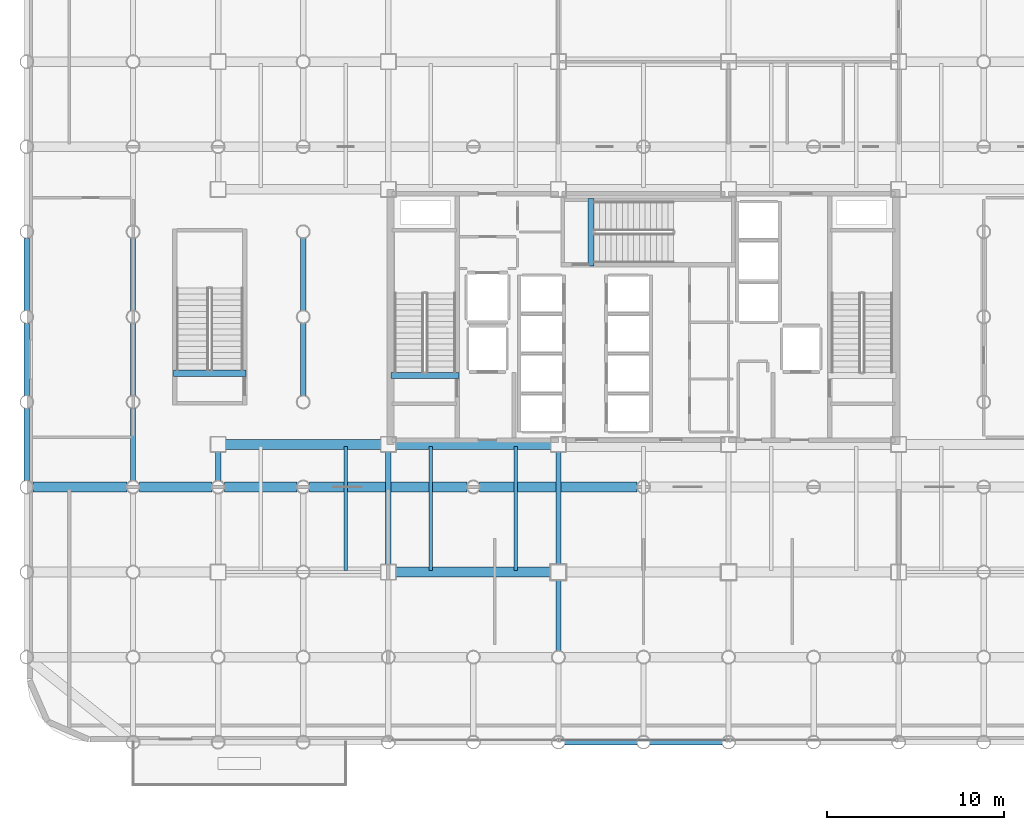
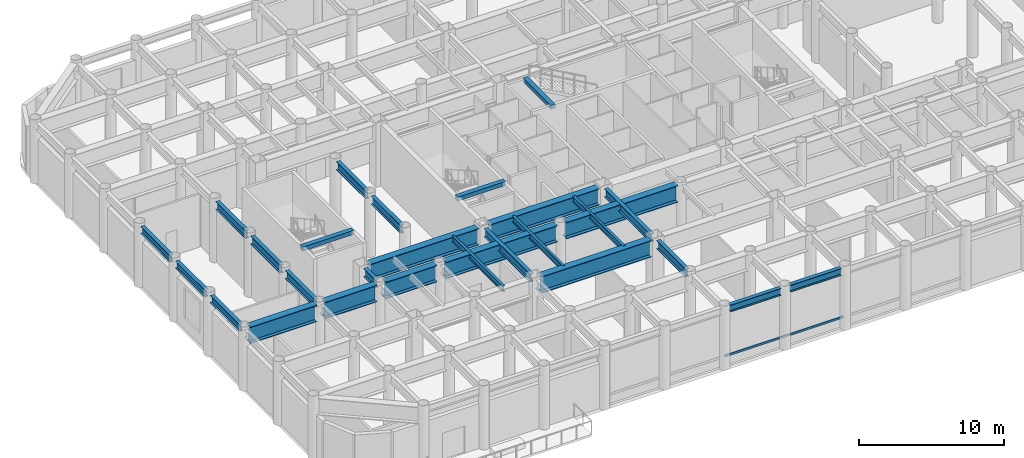
# One storey, part 3 of 17: 28 beams, 1 member, 1 element without a shape of its own.
"""IFC4 building model written with IfcOpenShell, lengths in metres."""

from ifc_helpers import new_model, si_unit, direction, frame, origin, origin_2d, place, context, subcontext, project, spatial, rectangle, hollow_rectangle, i_section, extrude, material, layer, layer_set, material_profile, profile_set, type_object, element, aggregate, save


model = new_model("IFC4")

# Units and contexts
model_context = context("Model", 3, precision=1e-05, world=origin(), true_north=direction((0.0, 1.0)))
body_context = subcontext(model_context, "Body", "Model", "MODEL_VIEW")
ifc_project = project(units=[si_unit("LENGTHUNIT", "METRE"), si_unit("AREAUNIT", "SQUARE_METRE"), si_unit("VOLUMEUNIT", "CUBIC_METRE"), si_unit("PLANEANGLEUNIT", "RADIAN"), si_unit("MASSUNIT", "GRAM", prefix="KILO")], contexts=[model_context])

# Site, building, storey
site_placement = place(None, origin())
site = spatial("IfcSite", under=ifc_project, at=site_placement, CompositionType="ELEMENT")
building_placement = place(site_placement, origin())
building = spatial("IfcBuilding", under=site, at=building_placement, Name="Kallvorn Hotel Tower", CompositionType="ELEMENT")
storey_placement = place(building_placement, frame((0.0, 0.0, 19.199951171875)))
storey = spatial("IfcBuildingStorey", under=building, at=storey_placement, Name="L03", CompositionType="ELEMENT", Elevation=19.199951171875)

# Beams
ifc_material_1 = material(Name="Structural steel S355JR", Category="steel")
ifc_material_profile_1 = material_profile(ifc_material_1, i_section(OverallWidth=0.300048828125, OverallDepth=0.60009765625, WebThickness=0.015380859375, FlangeThickness=0.030029296875, at=origin_2d()), Name="HE 600 B")
ifc_profile_set_1 = profile_set([ifc_material_profile_1], Name="Structural steel S355JR")
beam_type_1 = type_object("IfcBeamType", Name="BM_HE600B", PredefinedType="SPANDREL", material=ifc_profile_set_1)
for number, where, z_axis, x_axis, name in (
    (1, (-4.428955078125, -24.0, 4.880126953125), (1.0, 0.0, 0.0), (0.0, 1.0, 0.0), "L04 Perimeter Spandrel 177"),
    (2, (0.37109375, -24.0, 4.880126953125), (1.0, 0.0, 0.0), (0.0, 1.0, 0.0), "L04 Perimeter Spandrel 178"),
):
    element("IfcBeam", number, at=place(storey_placement, frame(where, z_axis=z_axis, x_axis=x_axis)), inside=storey, type_object=beam_type_1, Name=name, PredefinedType="SPANDREL", context=body_context, shape_type="SweptSolid", body=[
        extrude(i_section(OverallWidth=0.300048828125, OverallDepth=0.60009765625, WebThickness=0.015380859375, FlangeThickness=0.030029296875, at=origin_2d()), origin(), (0.0, 0.0, 1.0), 4.057861328125),
    ])
beam_1_placement = place(storey_placement, frame((-34.800048828125, -9.22900390625, 4.880126953125), z_axis=(0.0, 1.0, 0.0), x_axis=(-1.0, 0.0, 0.0)))
element("IfcBeam", 3, at=beam_1_placement, inside=storey, type_object=beam_type_1, Name="L04 Perimeter Spandrel 198", PredefinedType="SPANDREL", context=body_context, shape_type="SweptSolid", body=[
    extrude(i_section(OverallWidth=0.300048828125, OverallDepth=0.60009765625, WebThickness=0.015380859375, FlangeThickness=0.030029296875, at=origin_2d()), origin(), (0.0, 0.0, 1.0), 4.05810546875),
])
for number, where, z_axis, x_axis, name in (
    (4, (-34.800048828125, -4.428955078125, 4.880126953125), (0.0, 1.0, 0.0), (-1.0, 0.0, 0.0), "L04 Perimeter Spandrel 199"),
    (5, (-34.800048828125, 0.37109375, 4.880126953125), (0.0, 1.0, 0.0), (-1.0, 0.0, 0.0), "L04 Perimeter Spandrel 200"),
):
    element("IfcBeam", number, at=place(storey_placement, frame(where, z_axis=z_axis, x_axis=x_axis)), inside=storey, type_object=beam_type_1, Name=name, PredefinedType="SPANDREL", context=body_context, shape_type="SweptSolid", body=[
        extrude(i_section(OverallWidth=0.300048828125, OverallDepth=0.60009765625, WebThickness=0.015380859375, FlangeThickness=0.030029296875, at=origin_2d()), origin(), (0.0, 0.0, 1.0), 4.057861328125),
    ])
ifc_material_2 = material(Name="Structural steel S355JR", Category="steel")
ifc_material_profile_2 = material_profile(ifc_material_2, i_section(OverallWidth=0.300048828125, OverallDepth=0.699951171875, WebThickness=0.01708984375, FlangeThickness=0.031982421875, at=origin_2d()), Name="HE 700 B")
ifc_profile_set_2 = profile_set([ifc_material_profile_2], Name="Structural steel S355JR")
beam_type_2 = type_object("IfcBeamType", Name="BM_HE700B", PredefinedType="BEAM", material=ifc_profile_set_2)
beam_2_placement = place(storey_placement, frame((-28.800048828125, -9.243896484375, 4.830078125), z_axis=(0.0, 1.0, 0.0), x_axis=(-1.0, 0.0, 0.0)))
element("IfcBeam", 6, at=beam_2_placement, inside=storey, type_object=beam_type_2, Name="L04 Primary Y-Girder 83", PredefinedType="BEAM", context=body_context, shape_type="SweptSolid", body=[
    extrude(i_section(OverallWidth=0.300048828125, OverallDepth=0.699951171875, WebThickness=0.01708984375, FlangeThickness=0.031982421875, at=origin_2d()), origin(), (0.0, 0.0, 1.0), 4.087890625),
])
for number, where, z_axis, x_axis, name in (
    (7, (-28.800048828125, -4.444091796875, 4.830078125), (0.0, 1.0, 0.0), (-1.0, 0.0, 0.0), "L04 Primary Y-Girder 84"),
    (8, (-28.800048828125, 0.35595703125, 4.830078125), (0.0, 1.0, 0.0), (-1.0, 0.0, 0.0), "L04 Primary Y-Girder 85"),
):
    element("IfcBeam", number, at=place(storey_placement, frame(where, z_axis=z_axis, x_axis=x_axis)), inside=storey, type_object=beam_type_2, Name=name, PredefinedType="BEAM", context=body_context, shape_type="SweptSolid", body=[
        extrude(i_section(OverallWidth=0.300048828125, OverallDepth=0.699951171875, WebThickness=0.01708984375, FlangeThickness=0.031982421875, at=origin_2d()), origin(), (0.0, 0.0, 1.0), 4.088134765625),
    ])
beam_3_placement = place(storey_placement, frame((-24.0, -9.243896484375, 4.830078125), z_axis=(0.0, 1.0, 0.0), x_axis=(-1.0, 0.0, 0.0)))
element("IfcBeam", 9, at=beam_3_placement, inside=storey, type_object=beam_type_2, Name="L04 Primary Y-Girder 93", PredefinedType="BEAM", context=body_context, shape_type="SweptSolid", body=[
    extrude(i_section(OverallWidth=0.300048828125, OverallDepth=0.699951171875, WebThickness=0.01708984375, FlangeThickness=0.031982421875, at=origin_2d()), origin(), (0.0, 0.0, 1.0), 1.618896484375),
])
for number, where, z_axis, x_axis, name in (
    (10, (-19.199951171875, -4.444091796875, 4.830078125), (0.0, 1.0, 0.0), (-1.0, 0.0, 0.0), "L04 Primary Y-Girder 102"),
    (11, (-19.199951171875, 0.35595703125, 4.830078125), (0.0, 1.0, 0.0), (-1.0, 0.0, 0.0), "L04 Primary Y-Girder 103"),
):
    element("IfcBeam", number, at=place(storey_placement, frame(where, z_axis=z_axis, x_axis=x_axis)), inside=storey, type_object=beam_type_2, Name=name, PredefinedType="BEAM", context=body_context, shape_type="SweptSolid", body=[
        extrude(i_section(OverallWidth=0.300048828125, OverallDepth=0.699951171875, WebThickness=0.01708984375, FlangeThickness=0.031982421875, at=origin_2d()), origin(), (0.0, 0.0, 1.0), 4.088134765625),
    ])
beam_4_placement = place(storey_placement, frame((-14.39990234375, -13.97509765625, 4.830078125), z_axis=(0.0, 1.0, 0.0), x_axis=(-1.0, 0.0, 0.0)))
element("IfcBeam", 12, at=beam_4_placement, inside=storey, type_object=beam_type_2, Name="L04 Primary Y-Girder 110", PredefinedType="BEAM", context=body_context, shape_type="SweptSolid", body=[
    extrude(i_section(OverallWidth=0.300048828125, OverallDepth=0.699951171875, WebThickness=0.01708984375, FlangeThickness=0.031982421875, at=origin_2d()), origin(), (0.0, 0.0, 1.0), 6.35009765625),
])
beam_5_placement = place(storey_placement, frame((-4.800048828125, -18.843994140625, 4.830078125), z_axis=(0.0, 1.0, 0.0), x_axis=(-1.0, 0.0, 0.0)))
element("IfcBeam", 13, at=beam_5_placement, inside=storey, type_object=beam_type_2, Name="L04 Primary Y-Girder 119", PredefinedType="BEAM", context=body_context, shape_type="SweptSolid", body=[
    extrude(i_section(OverallWidth=0.300048828125, OverallDepth=0.699951171875, WebThickness=0.01708984375, FlangeThickness=0.031982421875, at=origin_2d()), origin(), (0.0, 0.0, 1.0), 4.01904296875),
])
beam_6_placement = place(storey_placement, frame((-4.800048828125, -13.97509765625, 4.830078125), z_axis=(0.0, 1.0, 0.0), x_axis=(-1.0, 0.0, 0.0)))
element("IfcBeam", 14, at=beam_6_placement, inside=storey, type_object=beam_type_2, Name="L04 Primary Y-Girder 120", PredefinedType="BEAM", context=body_context, shape_type="SweptSolid", body=[
    extrude(i_section(OverallWidth=0.300048828125, OverallDepth=0.699951171875, WebThickness=0.01708984375, FlangeThickness=0.031982421875, at=origin_2d()), origin(), (0.0, 0.0, 1.0), 6.35009765625),
])
ifc_material_3 = material(Name="Structural steel S355JR", Category="steel")
ifc_material_profile_3 = material_profile(ifc_material_3, i_section(OverallWidth=0.199951171875, OverallDepth=0.5, WebThickness=0.01025390625, FlangeThickness=0.01611328125, at=origin_2d()), Name="IPE 500")
ifc_profile_set_3 = profile_set([ifc_material_profile_3], Name="Structural steel S355JR")
beam_type_3 = type_object("IfcBeamType", Name="BM_IPE500", PredefinedType="JOIST", material=ifc_profile_set_3)
for number, where, z_axis, x_axis, name in (
    (15, (-16.800048828125, -14.300048828125, 4.929931640625), (0.0, 1.0, 0.0), (-1.0, 0.0, 0.0), "L04 Secondary Composite Joist 218"),
    (16, (-12.0, -14.300048828125, 4.929931640625), (0.0, 1.0, 0.0), (-1.0, 0.0, 0.0), "L04 Secondary Composite Joist 220"),
    (17, (-7.199951171875, -14.300048828125, 4.929931640625), (0.0, 1.0, 0.0), (-1.0, 0.0, 0.0), "L04 Secondary Composite Joist 222"),
):
    element("IfcBeam", number, at=place(storey_placement, frame(where, z_axis=z_axis, x_axis=x_axis)), inside=storey, type_object=beam_type_3, Name=name, PredefinedType="JOIST", context=body_context, shape_type="SweptSolid", body=[
        extrude(i_section(OverallWidth=0.199951171875, OverallDepth=0.5, WebThickness=0.01025390625, FlangeThickness=0.01611328125, at=origin_2d()), origin(), (0.0, 0.0, 1.0), 7.0),
    ])
ifc_material_4 = material(Name="Structural steel S355JR", Category="steel")
ifc_material_profile_4 = material_profile(ifc_material_4, i_section(OverallWidth=0.550048828125, OverallDepth=1.39990234375, WebThickness=0.02490234375, FlangeThickness=0.044921875, at=origin_2d()), Name="PG 1400x550x25x45")
ifc_profile_set_4 = profile_set([ifc_material_profile_4], Name="Structural steel S355JR")
beam_type_4 = type_object("IfcBeamType", Name="BM_PG_1400", PredefinedType="BEAM", material=ifc_profile_set_4)
beam_7_placement = place(storey_placement, frame((-13.97509765625, -14.39990234375, 4.47998046875), z_axis=(1.0, 0.0, 0.0), x_axis=(0.0, 1.0, 0.0)))
element("IfcBeam", 18, at=beam_7_placement, inside=storey, type_object=beam_type_4, Name="L04 Primary X-Girder 19", PredefinedType="BEAM", context=body_context, shape_type="SweptSolid", body=[
    extrude(i_section(OverallWidth=0.550048828125, OverallDepth=1.39990234375, WebThickness=0.02490234375, FlangeThickness=0.044921875, at=origin_2d()), origin(), (0.0, 0.0, 1.0), 8.75),
])
beam_8_placement = place(storey_placement, frame((-34.444091796875, -9.60009765625, 4.47998046875), z_axis=(1.0, 0.0, 0.0), x_axis=(0.0, 1.0, 0.0)))
element("IfcBeam", 19, at=beam_8_placement, inside=storey, type_object=beam_type_4, Name="L04 Primary X-Girder 26", PredefinedType="BEAM", context=body_context, shape_type="SweptSolid", body=[
    extrude(i_section(OverallWidth=0.550048828125, OverallDepth=1.39990234375, WebThickness=0.02490234375, FlangeThickness=0.044921875, at=origin_2d()), origin(), (0.0, 0.0, 1.0), 5.2880859375),
])
for number, where, z_axis, x_axis, name in (
    (20, (-28.444091796875, -9.60009765625, 4.47998046875), (1.0, 0.0, 0.0), (0.0, 1.0, 0.0), "L04 Primary X-Girder 27"),
    (21, (-23.64404296875, -9.60009765625, 4.47998046875), (1.0, 0.0, 0.0), (0.0, 1.0, 0.0), "L04 Primary X-Girder 28"),
):
    element("IfcBeam", number, at=place(storey_placement, frame(where, z_axis=z_axis, x_axis=x_axis)), inside=storey, type_object=beam_type_4, Name=name, PredefinedType="BEAM", context=body_context, shape_type="SweptSolid", body=[
        extrude(i_section(OverallWidth=0.550048828125, OverallDepth=1.39990234375, WebThickness=0.02490234375, FlangeThickness=0.044921875, at=origin_2d()), origin(), (0.0, 0.0, 1.0), 4.088134765625),
    ])
for number, where, z_axis, x_axis, name in (
    (22, (-18.843994140625, -9.60009765625, 4.47998046875), (1.0, 0.0, 0.0), (0.0, 1.0, 0.0), "L04 Primary X-Girder 29"),
    (23, (-9.243896484375, -9.60009765625, 4.47998046875), (1.0, 0.0, 0.0), (0.0, 1.0, 0.0), "L04 Primary X-Girder 30"),
):
    element("IfcBeam", number, at=place(storey_placement, frame(where, z_axis=z_axis, x_axis=x_axis)), inside=storey, type_object=beam_type_4, Name=name, PredefinedType="BEAM", context=body_context, shape_type="SweptSolid", body=[
        extrude(i_section(OverallWidth=0.550048828125, OverallDepth=1.39990234375, WebThickness=0.02490234375, FlangeThickness=0.044921875, at=origin_2d()), origin(), (0.0, 0.0, 1.0), 8.887939453125),
    ])
for number, where, z_axis, x_axis, name in (
    (24, (-23.574951171875, -7.199951171875, 4.47998046875), (1.0, 0.0, 0.0), (0.0, 1.0, 0.0), "L04 Primary X-Girder 36"),
    (25, (-13.97509765625, -7.199951171875, 4.47998046875), (1.0, 0.0, 0.0), (0.0, 1.0, 0.0), "L04 Primary X-Girder 37"),
):
    element("IfcBeam", number, at=place(storey_placement, frame(where, z_axis=z_axis, x_axis=x_axis)), inside=storey, type_object=beam_type_4, Name=name, PredefinedType="BEAM", context=body_context, shape_type="SweptSolid", body=[
        extrude(i_section(OverallWidth=0.550048828125, OverallDepth=1.39990234375, WebThickness=0.02490234375, FlangeThickness=0.044921875, at=origin_2d()), origin(), (0.0, 0.0, 1.0), 8.75),
    ])
ifc_material_5 = material(Name="Concrete C50/60", Category="concrete")
ifc_material_profile_5 = material_profile(ifc_material_5, rectangle(XDim=0.360107421875, YDim=0.340087890625, at=origin_2d()), Name="RC 360x340")
ifc_profile_set_5 = profile_set([ifc_material_profile_5], Name="Concrete C50/60")
beam_type_5 = type_object("IfcBeamType", Name="BM_RC_400x360", PredefinedType="BEAM", material=ifc_profile_set_5)
beam_9_placement = place(storey_placement, frame((-10.419921875, -3.31005859375, 5.010009765625), z_axis=(-1.0, 0.0, 0.0), x_axis=(0.0, -1.0, 0.0)))
element("IfcBeam", 26, at=beam_9_placement, inside=storey, type_object=beam_type_5, Name="L04 Stair ST1 Arrival Trimmer Beam", PredefinedType="BEAM", context=body_context, shape_type="SweptSolid", body=[
    extrude(rectangle(XDim=0.360107421875, YDim=0.340087890625, at=origin_2d()), origin(), (0.0, 0.0, 1.0), 3.820068359375),
])
beam_10_placement = place(storey_placement, frame((-2.9599609375, 2.8701171875, 5.010009765625), z_axis=(0.0, 1.0, 0.0), x_axis=(-1.0, 0.0, 0.0)))
element("IfcBeam", 27, at=beam_10_placement, inside=storey, type_object=beam_type_5, Name="L04 Stair ST3 Arrival Trimmer Beam", PredefinedType="BEAM", context=body_context, shape_type="SweptSolid", body=[
    extrude(rectangle(XDim=0.360107421875, YDim=0.340087890625, at=origin_2d()), origin(), (0.0, 0.0, 1.0), 3.81982421875),
])
beam_11_placement = place(storey_placement, frame((-22.419921875, -3.169921875, 5.010009765625), z_axis=(-1.0, 0.0, 0.0), x_axis=(0.0, -1.0, 0.0)))
element("IfcBeam", 28, at=beam_11_placement, inside=storey, type_object=beam_type_5, Name="L04 Stair ST4 Arrival Trimmer Beam", PredefinedType="BEAM", context=body_context, shape_type="SweptSolid", body=[
    extrude(rectangle(XDim=0.360107421875, YDim=0.340087890625, at=origin_2d()), origin(), (0.0, 0.0, 1.0), 4.10009765625),
])

# Curtain wall, member
ifc_material_6 = material(Name="Thermally broken black-anodised aluminium AA 6063-T6", Category="aluminium")
ifc_layer = layer(ifc_material_6, 0.219970703125)
ifc_layer_set = layer_set([ifc_layer], Name="CW_SYS_2_PODIUM_CASC")
curtain_wall_type = type_object("IfcCurtainWallType", Name="CW_SYS_2_PODIUM_CASC", PredefinedType="USERDEFINED", material=ifc_layer_set)
curtain_wall_placement = place(storey_placement, origin())
curtain_wall = element("IfcCurtainWall", 29, at=curtain_wall_placement, inside=storey, type_object=curtain_wall_type, Name="L03 Dark-Glass Curtain Wall CW-L03-S2", ObjectType="UNITISED CURTAIN WALL", PredefinedType="USERDEFINED")
ifc_material_7 = material(Name="Thermally broken black-anodised aluminium AA 6063-T6", Category="aluminium")
ifc_material_profile_6 = material_profile(ifc_material_7, hollow_rectangle(XDim=0.070068359375, YDim=0.179931640625, WallThickness=0.00390625, at=origin_2d()), Name="TRN 180x70")
ifc_profile_set_6 = profile_set([ifc_material_profile_6], Name="Thermally broken black-anodised aluminium AA 6063-T6")
member_type = type_object("IfcMemberType", Name="CW_TRANSOM_180x70", PredefinedType="USERDEFINED", material=ifc_profile_set_6)
member_placement = place(storey_placement, frame((-4.7099609375, -23.8798828125, 0.85009765625), z_axis=(1.0, 0.0, 0.0), x_axis=(0.0, 1.0, 0.0)))
member = element("IfcMember", 30, at=member_placement, type_object=member_type, Name="CW-L03-S2 Transom 00M", ObjectType="TRANSOM", PredefinedType="USERDEFINED", context=body_context, shape_type="SweptSolid", body=[
    extrude(hollow_rectangle(XDim=0.070068359375, YDim=0.179931640625, WallThickness=0.00390625, at=origin_2d()), origin(), (0.0, 0.0, 1.0), 9.419921875),
])
aggregate(curtain_wall, [member])

save(model, "model.ifc")
